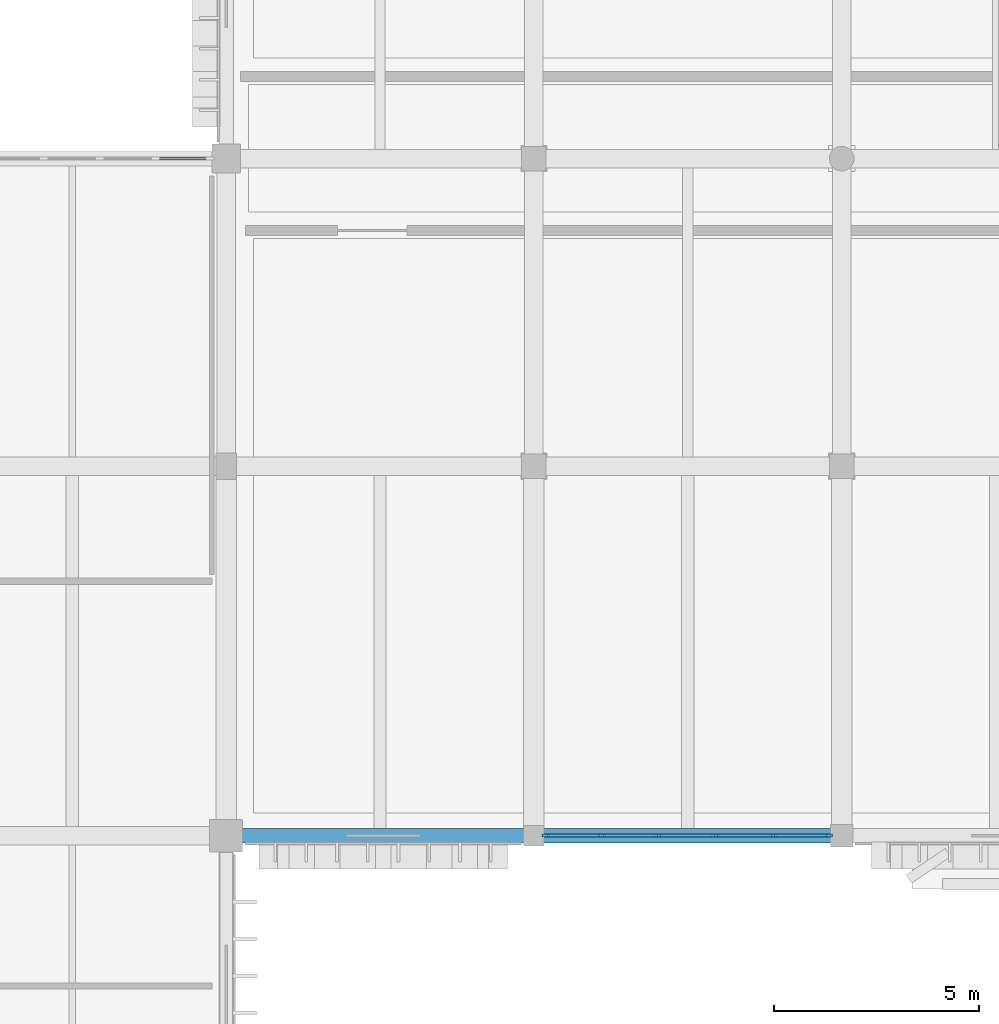
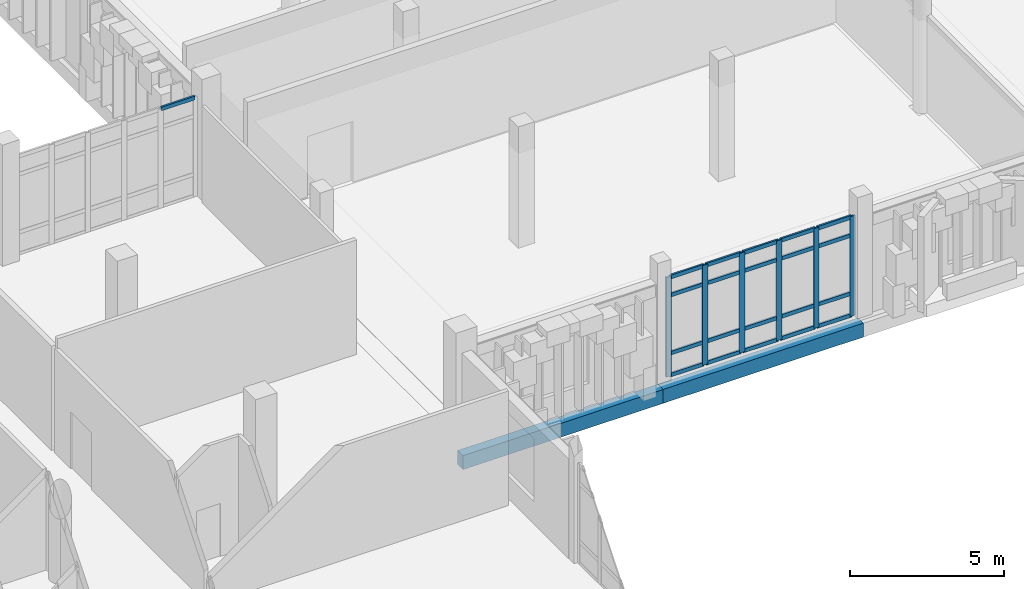
# One storey, part 53 of 131: 27 members, 2 beams, 2 elements without a shape of their own.
"""IFC4 building model written with IfcOpenShell, lengths in metres."""

import ifcopenshell
import ifcopenshell.guid

model = None  # the IFC model being written
_history = None  # IfcOwnerHistory: only IFC2X3 demands one
_inside = {}  # id of a spatial element -> (the spatial element, [elements in it])
_under = {}  # id of a project, library or spatial element -> (it, [spatial elements below it])
_declared = {}  # id of a project -> (the project, [libraries it declares])
_typed = {}  # id of a type object -> (the type object, [elements of that type])
_made_of = {}  # id of a material, layer set ... -> (it, [elements and type objects made of it])


def new_model(schema):
    """Start an empty IFC model of exactly this schema.

    Asked for "IFC4X3", IfcOpenShell would pick the latest addendum, in which some entities
    have other attributes; the version numbers below select the first issue.
    IFC2X3 requires an IfcOwnerHistory on every rooted entity: one is made here for all.
    """
    global model, _history
    if schema == "IFC4X3":
        model = ifcopenshell.file(schema_version=(4, 3, 0, 0))
    else:
        model = ifcopenshell.file(schema=schema)
    _inside.clear()
    _under.clear()
    _declared.clear()
    _typed.clear()
    _made_of.clear()
    _history = None
    if model.schema == "IFC2X3":
        org = make("IfcOrganization", Name="unknown")
        user = make(
            "IfcPersonAndOrganization",
            ThePerson=make("IfcPerson", FamilyName="unknown"),
            TheOrganization=org,
        )
        app = make(
            "IfcApplication",
            ApplicationDeveloper=org,
            Version="unknown",
            ApplicationFullName="unknown",
            ApplicationIdentifier="unknown",
        )
        _history = make(
            "IfcOwnerHistory",
            OwningUser=user,
            OwningApplication=app,
            ChangeAction="ADDED",
            CreationDate=0,
        )
    return model


def make(cls, **values):
    """One entity of the class cls with the attributes given. An attribute that is None is left unset."""
    return model.create_entity(
        cls, **{name: value for name, value in values.items() if value is not None}
    )


def rooted(cls, **values):
    """An entity with a GlobalId (a new one), such as an element, a storey or a relation."""
    return make(cls, GlobalId=ifcopenshell.guid.new(), OwnerHistory=_history, **values)


def si_unit(unit_type, name, prefix=None):
    """IfcSIUnit, for example si_unit("LENGTHUNIT", "METRE", prefix="MILLI")."""
    return make("IfcSIUnit", UnitType=unit_type, Prefix=prefix, Name=name)


def assignment(units):
    """IfcUnitAssignment: the units of a project."""
    return None if units is None else make("IfcUnitAssignment", Units=units)


def point(xyz):
    """IfcCartesianPoint."""
    return None if xyz is None else make("IfcCartesianPoint", Coordinates=xyz)


def direction(xyz):
    """IfcDirection."""
    return None if xyz is None else make("IfcDirection", DirectionRatios=xyz)


def frame(location, z_axis=None, x_axis=None):
    """IfcAxis2Placement3D, a coordinate frame: its origin and axes. An axis left out is left unset."""
    return make(
        "IfcAxis2Placement3D",
        Location=point(location),
        Axis=direction(z_axis),
        RefDirection=direction(x_axis),
    )


def frame_2d(location, x_axis=None):
    """IfcAxis2Placement2D, a coordinate frame in the plane: its origin and x axis."""
    return make(
        "IfcAxis2Placement2D", Location=point(location), RefDirection=direction(x_axis)
    )


def origin():
    """The frame at (0, 0, 0) with its axes left unset."""
    return frame((0.0, 0.0, 0.0))


def origin_2d():
    """The frame at (0, 0) in the plane with its x axis left unset."""
    return frame_2d((0.0, 0.0))


def place(relative_to, where):
    """IfcLocalPlacement: puts the frame where relative to a parent placement (None: the world)."""
    return make(
        "IfcLocalPlacement", PlacementRelTo=relative_to, RelativePlacement=where
    )


def context(
    kind, dimensions, precision=None, world=None, true_north=None, identifier=None
):
    """IfcGeometricRepresentationContext, for example the 3D "Model" context."""
    return make(
        "IfcGeometricRepresentationContext",
        ContextIdentifier=identifier,
        ContextType=kind,
        CoordinateSpaceDimension=dimensions,
        Precision=precision,
        WorldCoordinateSystem=world,
        TrueNorth=true_north,
    )


def subcontext(parent, identifier, kind, view, scale=None):
    """IfcGeometricRepresentationSubContext, for example "Body" below "Model"."""
    return make(
        "IfcGeometricRepresentationSubContext",
        ContextIdentifier=identifier,
        ContextType=kind,
        ParentContext=parent,
        TargetScale=scale,
        TargetView=view,
    )


def project(units=None, contexts=None):
    """IfcProject with its units and contexts."""
    return rooted(
        "IfcProject",
        Name="project",
        RepresentationContexts=contexts,
        UnitsInContext=assignment(units),
    )


def spatial(cls, under=None, at=None, **own):
    """A site, building, storey or space (cls), placed at a placement, below another one or the project."""
    s = rooted(cls, ObjectPlacement=at, **own)
    if under is not None:
        _under.setdefault(under.id(), (under, []))[1].append(s)
    return s


def profile(cls, at=None, kind="AREA", **sizes):
    """A parametric profile (cls). Its sizes go by their IFC names, for example OverallWidth=200.0."""
    return make(cls, ProfileType=kind, Position=at, **sizes)


def rectangle(**sizes):
    """IfcRectangleProfileDef."""
    return profile("IfcRectangleProfileDef", **sizes)


def extrude(swept, where, along, depth):
    """IfcExtrudedAreaSolid: the profile swept, set in the frame where, extruded along a direction by depth."""
    return make(
        "IfcExtrudedAreaSolid",
        SweptArea=swept,
        Position=where,
        ExtrudedDirection=direction(along),
        Depth=depth,
    )


def shape(context_of_items, identifier, shape_type, items):
    """IfcShapeRepresentation: the items that make up one representation, for example the "Body"."""
    return make(
        "IfcShapeRepresentation",
        ContextOfItems=context_of_items,
        RepresentationIdentifier=identifier,
        RepresentationType=shape_type,
        Items=items,
    )


def material(Name=None, Category=None):
    """IfcMaterial."""
    return make("IfcMaterial", Name=Name, Category=Category)


def layer(
    of_material, thickness, ventilated=None, Name=None, Category=None, Priority=None
):
    """IfcMaterialLayer: one layer of a wall or slab, of a material (None: an air gap)."""
    return make(
        "IfcMaterialLayer",
        Material=of_material,
        LayerThickness=thickness,
        IsVentilated=ventilated,
        Name=Name,
        Category=Category,
        Priority=Priority,
    )


def layer_set(layers, Name=None):
    """IfcMaterialLayerSet."""
    return make("IfcMaterialLayerSet", MaterialLayers=layers, LayerSetName=Name)


def material_profile(
    of_material, cross_section, Name=None, Category=None, Priority=None
):
    """IfcMaterialProfile: a cross section and its material."""
    return make(
        "IfcMaterialProfile",
        Name=Name,
        Material=of_material,
        Profile=cross_section,
        Priority=Priority,
        Category=Category,
    )


def profile_set(profiles, Name=None, composite=None):
    """IfcMaterialProfileSet."""
    return make(
        "IfcMaterialProfileSet",
        Name=Name,
        MaterialProfiles=profiles,
        CompositeProfile=composite,
    )


def made_of(thing, what):
    """Note that an element or type object is made of a material, layer set ...; save() writes the relation."""
    if what is not None:
        _made_of.setdefault(what.id(), (what, []))[1].append(thing)
    return thing


def type_object(cls, material=None, **own):
    """A type object (cls), such as IfcWallType, which elements share."""
    return made_of(rooted(cls, **own), material)


def element(
    cls,
    number,
    at=None,
    inside=None,
    cuts=None,
    type_object=None,
    material=None,
    context=None,
    identifier="Body",
    shape_type=None,
    held_by="IfcProductDefinitionShape",
    body=None,
    shapes=None,
    **own,
):
    """One element of the class cls, such as IfcWall. Its Tag is "e" and its number.

    at: its placement. inside: the storey or other place that contains it. cuts: it is an
    opening in that element (IfcRelVoidsElement). A single representation is given by context,
    identifier, shape_type and body (its items); several are given by shapes. held_by: the class
    of the entity that holds the representations. save() writes the other relations.
    """
    e = rooted(cls, Tag="e%d" % number, ObjectPlacement=at, **own)
    if body is not None:
        shapes = [shape(context, identifier, shape_type, body)]
    if shapes is not None:
        e.Representation = make(held_by, Representations=shapes)
    if inside is not None:
        _inside.setdefault(inside.id(), (inside, []))[1].append(e)
    if cuts is not None:
        rooted(
            "IfcRelVoidsElement", RelatingBuildingElement=cuts, RelatedOpeningElement=e
        )
    if type_object is not None:
        _typed.setdefault(type_object.id(), (type_object, []))[1].append(e)
    return made_of(e, material)


def aggregate(whole, parts):
    """IfcRelAggregates: a whole, such as a stair, and the parts it consists of."""
    return rooted("IfcRelAggregates", RelatingObject=whole, RelatedObjects=parts)


def save(model, path):
    """Write the relations noted so far, then the file.

    IfcRelAggregates (storeys below a building ...), IfcRelContainedInSpatialStructure (elements
    in a storey), IfcRelDefinesByType, IfcRelAssociatesMaterial and IfcRelDeclares: one each for
    every whole, place, type object, material and project.
    """
    for whole, parts in _under.values():
        aggregate(whole, parts)
    for where, things in _inside.values():
        rooted(
            "IfcRelContainedInSpatialStructure",
            RelatedElements=things,
            RelatingStructure=where,
        )
    for kind, things in _typed.values():
        rooted("IfcRelDefinesByType", RelatedObjects=things, RelatingType=kind)
    for what, things in _made_of.values():
        rooted("IfcRelAssociatesMaterial", RelatedObjects=things, RelatingMaterial=what)
    for by, libraries in _declared.values():
        rooted("IfcRelDeclares", RelatingContext=by, RelatedDefinitions=libraries)
    model.write(path)


model = new_model("IFC4")

# Units and contexts
model_context = context("Model", 3, precision=1e-05, world=origin(), true_north=direction((0.0, 1.0)))
body_context = subcontext(model_context, "Body", "Model", "MODEL_VIEW")
ifc_project = project(units=[si_unit("LENGTHUNIT", "METRE"), si_unit("AREAUNIT", "SQUARE_METRE"), si_unit("VOLUMEUNIT", "CUBIC_METRE"), si_unit("PLANEANGLEUNIT", "RADIAN"), si_unit("MASSUNIT", "GRAM", prefix="KILO")], contexts=[model_context])

# Site, building, storey
site_placement = place(None, origin())
site = spatial("IfcSite", under=ifc_project, at=site_placement, CompositionType="ELEMENT")
building_placement = place(site_placement, origin())
building = spatial("IfcBuilding", under=site, at=building_placement, Name="Dalvernix Boulevard General Hospital", CompositionType="ELEMENT")
storey_placement = place(building_placement, frame((0.0, 0.0, 9.300048828125)))
storey = spatial("IfcBuildingStorey", under=building, at=storey_placement, Name="L02", CompositionType="ELEMENT", Elevation=9.300048828125)

# Beams
ifc_material_1 = material(Name="Concrete C35/45", Category="concrete")
ifc_material_profile_1 = material_profile(ifc_material_1, rectangle(XDim=0.35009765625, YDim=0.550048828125, at=origin_2d()), Name="RCB 350x550")
ifc_profile_set_1 = profile_set([ifc_material_profile_1], Name="Concrete C35/45")
beam_type = type_object("IfcBeamType", Name="BM-SB-01-E", PredefinedType="SPANDREL", material=ifc_profile_set_1)
for number, where, z_axis, x_axis, name in (
    (1, (30.0, 76.5, -0.594970703125), (1.0, 0.0, 0.0), (0.0, 1.0, 0.0), "L02 E-W girder L:5-6"),
    (2, (37.5, 76.5, -0.594970703125), (1.0, 0.0, 0.0), (0.0, 1.0, 0.0), "L02 E-W girder L:6-7"),
):
    element("IfcBeam", number, at=place(storey_placement, frame(where, z_axis=z_axis, x_axis=x_axis)), inside=storey, type_object=beam_type, Name=name, PredefinedType="SPANDREL", context=body_context, shape_type="SweptSolid", body=[
        extrude(rectangle(XDim=0.35009765625, YDim=0.550048828125, at=origin_2d()), origin(), (0.0, 0.0, 1.0), 7.5),
    ])

# Curtain wall, members
ifc_material_2 = material(Name="Thermally broken aluminium and solar-control glass curtain wall", Category="aluminium")
ifc_layer_1 = layer(ifc_material_2, 0.199951171875)
ifc_layer_set_1 = layer_set([ifc_layer_1], Name="Thermally broken aluminium and solar-control glass curtain wall (CW-CW-C-70x40)")
curtain_wall_type_1 = type_object("IfcCurtainWallType", Name="CW-CW-C-70x40", PredefinedType="USERDEFINED", material=ifc_layer_set_1)
curtain_wall_1_placement = place(storey_placement, origin())
curtain_wall_1 = element("IfcCurtainWall", 3, at=curtain_wall_1_placement, inside=storey, type_object=curtain_wall_type_1, Name="L02 curtain wall CW-C-70x40 5-10", ObjectType="GLAZED FACADE", PredefinedType="USERDEFINED")
ifc_material_3 = material(Name="Aluminium EN AW-6060", Category="aluminium")
ifc_material_profile_2 = material_profile(ifc_material_3, rectangle(XDim=0.070068359375, YDim=0.199951171875, at=origin_2d()), Name="ALU MULL 70x200")
ifc_profile_set_2 = profile_set([ifc_material_profile_2], Name="Aluminium EN AW-6060")
member_type_1 = type_object("IfcMemberType", Name="MEM-CW-M3", PredefinedType="MULLION", material=ifc_profile_set_2)
member_1_placement = place(storey_placement, frame((44.679931640625, 76.5, 0.0), z_axis=(0.0, 0.0, 1.0), x_axis=(0.0, -1.0, 0.0)))
member_1 = element("IfcMember", 4, at=member_1_placement, type_object=member_type_1, Name="CW-C-70x40 mullion 1", PredefinedType="MULLION", context=body_context, shape_type="SweptSolid", body=[
    extrude(rectangle(XDim=0.070068359375, YDim=0.199951171875, at=origin_2d()), origin(), (0.0, 0.0, 1.0), 3.949951171875),
])
member_2_placement = place(storey_placement, frame((43.323974609375, 76.5, 0.0), z_axis=(0.0, 0.0, 1.0), x_axis=(0.0, -1.0, 0.0)))
member_2 = element("IfcMember", 5, at=member_2_placement, type_object=member_type_1, Name="CW-C-70x40 mullion 2", PredefinedType="MULLION", context=body_context, shape_type="SweptSolid", body=[
    extrude(rectangle(XDim=0.070068359375, YDim=0.199951171875, at=origin_2d()), origin(), (0.0, 0.0, 1.0), 3.949951171875),
])
member_3_placement = place(storey_placement, frame((41.93310546875, 76.5, 0.0), z_axis=(0.0, 0.0, 1.0), x_axis=(0.0, -1.0, 0.0)))
member_3 = element("IfcMember", 6, at=member_3_placement, type_object=member_type_1, Name="CW-C-70x40 mullion 3", PredefinedType="MULLION", context=body_context, shape_type="SweptSolid", body=[
    extrude(rectangle(XDim=0.070068359375, YDim=0.199951171875, at=origin_2d()), origin(), (0.0, 0.0, 1.0), 3.949951171875),
])
member_4_placement = place(storey_placement, frame((40.5419921875, 76.5, 0.0), z_axis=(0.0, 0.0, 1.0), x_axis=(0.0, -1.0, 0.0)))
member_4 = element("IfcMember", 7, at=member_4_placement, type_object=member_type_1, Name="CW-C-70x40 mullion 4", PredefinedType="MULLION", context=body_context, shape_type="SweptSolid", body=[
    extrude(rectangle(XDim=0.070068359375, YDim=0.199951171875, at=origin_2d()), origin(), (0.0, 0.0, 1.0), 3.949951171875),
])
member_5_placement = place(storey_placement, frame((39.15087890625, 76.5, 0.0), z_axis=(0.0, 0.0, 1.0), x_axis=(0.0, -1.0, 0.0)))
member_5 = element("IfcMember", 8, at=member_5_placement, type_object=member_type_1, Name="CW-C-70x40 mullion 5", PredefinedType="MULLION", context=body_context, shape_type="SweptSolid", body=[
    extrude(rectangle(XDim=0.070068359375, YDim=0.199951171875, at=origin_2d()), origin(), (0.0, 0.0, 1.0), 3.949951171875),
])
member_6_placement = place(storey_placement, frame((37.794921875, 76.5, 0.0), z_axis=(0.0, 0.0, 1.0), x_axis=(0.0, -1.0, 0.0)))
member_6 = element("IfcMember", 9, at=member_6_placement, type_object=member_type_1, Name="CW-C-70x40 mullion 6", PredefinedType="MULLION", context=body_context, shape_type="SweptSolid", body=[
    extrude(rectangle(XDim=0.070068359375, YDim=0.199951171875, at=origin_2d()), origin(), (0.0, 0.0, 1.0), 3.949951171875),
])

# Curtain wall, member
ifc_layer_2 = layer(ifc_material_2, 0.199951171875)
ifc_layer_set_2 = layer_set([ifc_layer_2], Name="Thermally broken aluminium and solar-control glass curtain wall (CW-CW-C-68x40)")
curtain_wall_type_2 = type_object("IfcCurtainWallType", Name="CW-CW-C-68x40", PredefinedType="USERDEFINED", material=ifc_layer_set_2)
curtain_wall_2_placement = place(storey_placement, origin())
curtain_wall_2 = element("IfcCurtainWall", 10, at=curtain_wall_2_placement, inside=storey, type_object=curtain_wall_type_2, Name="L02 curtain wall CW-C-68x40 3-12", ObjectType="GLAZED FACADE", PredefinedType="USERDEFINED")
ifc_material_profile_3 = material_profile(ifc_material_3, rectangle(XDim=0.070068359375, YDim=0.14990234375, at=origin_2d()), Name="ALU TRAN 70x150")
ifc_profile_set_3 = profile_set([ifc_material_profile_3], Name="Aluminium EN AW-6060")
member_type_2 = type_object("IfcMemberType", Name="MEM-CW-T3", PredefinedType="USERDEFINED", material=ifc_profile_set_3)
member_7_placement = place(storey_placement, frame((28.31396484375, 93.0, 3.9150390625), z_axis=(1.0, 0.0, 0.0), x_axis=(0.0, 1.0, 0.0)))
member_7 = element("IfcMember", 11, at=member_7_placement, type_object=member_type_2, Name="CW-C-68x40 transom 5.4", ObjectType="TRANSOM", PredefinedType="USERDEFINED", context=body_context, shape_type="SweptSolid", body=[
    extrude(rectangle(XDim=0.070068359375, YDim=0.14990234375, at=origin_2d()), origin(), (0.0, 0.0, 1.0), 1.256103515625),
])
aggregate(curtain_wall_2, [member_7])

# Member
member_8_placement = place(storey_placement, frame((44.64501953125, 76.5, 0.034912109375), z_axis=(-1.0, 0.0, 0.0), x_axis=(0.0, -1.0, 0.0)))
member_8 = element("IfcMember", 12, at=member_8_placement, type_object=member_type_2, Name="CW-C-70x40 transom 1.1", ObjectType="TRANSOM", PredefinedType="USERDEFINED", context=body_context, shape_type="SweptSolid", body=[
    extrude(rectangle(XDim=0.070068359375, YDim=0.14990234375, at=origin_2d()), origin(), (0.0, 0.0, 1.0), 1.2861328125),
])

member_9_placement = place(storey_placement, frame((44.64501953125, 76.5, 0.89990234375), z_axis=(-1.0, 0.0, 0.0), x_axis=(0.0, -1.0, 0.0)))
member_9 = element("IfcMember", 13, at=member_9_placement, type_object=member_type_2, Name="CW-C-70x40 transom 1.2", ObjectType="TRANSOM", PredefinedType="USERDEFINED", context=body_context, shape_type="SweptSolid", body=[
    extrude(rectangle(XDim=0.070068359375, YDim=0.14990234375, at=origin_2d()), origin(), (0.0, 0.0, 1.0), 1.2861328125),
])

member_10_placement = place(storey_placement, frame((44.64501953125, 76.5, 3.199951171875), z_axis=(-1.0, 0.0, 0.0), x_axis=(0.0, -1.0, 0.0)))
member_10 = element("IfcMember", 14, at=member_10_placement, type_object=member_type_2, Name="CW-C-70x40 transom 1.3", ObjectType="TRANSOM", PredefinedType="USERDEFINED", context=body_context, shape_type="SweptSolid", body=[
    extrude(rectangle(XDim=0.070068359375, YDim=0.14990234375, at=origin_2d()), origin(), (0.0, 0.0, 1.0), 1.2861328125),
])

member_11_placement = place(storey_placement, frame((44.64501953125, 76.5, 3.9150390625), z_axis=(-1.0, 0.0, 0.0), x_axis=(0.0, -1.0, 0.0)))
member_11 = element("IfcMember", 15, at=member_11_placement, type_object=member_type_2, Name="CW-C-70x40 transom 1.4", ObjectType="TRANSOM", PredefinedType="USERDEFINED", context=body_context, shape_type="SweptSolid", body=[
    extrude(rectangle(XDim=0.070068359375, YDim=0.14990234375, at=origin_2d()), origin(), (0.0, 0.0, 1.0), 1.2861328125),
])

member_12_placement = place(storey_placement, frame((43.2890625, 76.5, 0.034912109375), z_axis=(-1.0, 0.0, 0.0), x_axis=(0.0, -1.0, 0.0)))
member_12 = element("IfcMember", 16, at=member_12_placement, type_object=member_type_2, Name="CW-C-70x40 transom 2.1", ObjectType="TRANSOM", PredefinedType="USERDEFINED", context=body_context, shape_type="SweptSolid", body=[
    extrude(rectangle(XDim=0.070068359375, YDim=0.14990234375, at=origin_2d()), origin(), (0.0, 0.0, 1.0), 1.321044921875),
])

member_13_placement = place(storey_placement, frame((43.2890625, 76.5, 0.89990234375), z_axis=(-1.0, 0.0, 0.0), x_axis=(0.0, -1.0, 0.0)))
member_13 = element("IfcMember", 17, at=member_13_placement, type_object=member_type_2, Name="CW-C-70x40 transom 2.2", ObjectType="TRANSOM", PredefinedType="USERDEFINED", context=body_context, shape_type="SweptSolid", body=[
    extrude(rectangle(XDim=0.070068359375, YDim=0.14990234375, at=origin_2d()), origin(), (0.0, 0.0, 1.0), 1.321044921875),
])

member_14_placement = place(storey_placement, frame((43.2890625, 76.5, 3.199951171875), z_axis=(-1.0, 0.0, 0.0), x_axis=(0.0, -1.0, 0.0)))
member_14 = element("IfcMember", 18, at=member_14_placement, type_object=member_type_2, Name="CW-C-70x40 transom 2.3", ObjectType="TRANSOM", PredefinedType="USERDEFINED", context=body_context, shape_type="SweptSolid", body=[
    extrude(rectangle(XDim=0.070068359375, YDim=0.14990234375, at=origin_2d()), origin(), (0.0, 0.0, 1.0), 1.321044921875),
])

member_15_placement = place(storey_placement, frame((43.2890625, 76.5, 3.9150390625), z_axis=(-1.0, 0.0, 0.0), x_axis=(0.0, -1.0, 0.0)))
member_15 = element("IfcMember", 19, at=member_15_placement, type_object=member_type_2, Name="CW-C-70x40 transom 2.4", ObjectType="TRANSOM", PredefinedType="USERDEFINED", context=body_context, shape_type="SweptSolid", body=[
    extrude(rectangle(XDim=0.070068359375, YDim=0.14990234375, at=origin_2d()), origin(), (0.0, 0.0, 1.0), 1.321044921875),
])

member_16_placement = place(storey_placement, frame((41.89794921875, 76.5, 0.034912109375), z_axis=(-1.0, 0.0, 0.0), x_axis=(0.0, -1.0, 0.0)))
member_16 = element("IfcMember", 20, at=member_16_placement, type_object=member_type_2, Name="CW-C-70x40 transom 3.1", ObjectType="TRANSOM", PredefinedType="USERDEFINED", context=body_context, shape_type="SweptSolid", body=[
    extrude(rectangle(XDim=0.070068359375, YDim=0.14990234375, at=origin_2d()), origin(), (0.0, 0.0, 1.0), 1.321044921875),
])

member_17_placement = place(storey_placement, frame((41.89794921875, 76.5, 0.89990234375), z_axis=(-1.0, 0.0, 0.0), x_axis=(0.0, -1.0, 0.0)))
member_17 = element("IfcMember", 21, at=member_17_placement, type_object=member_type_2, Name="CW-C-70x40 transom 3.2", ObjectType="TRANSOM", PredefinedType="USERDEFINED", context=body_context, shape_type="SweptSolid", body=[
    extrude(rectangle(XDim=0.070068359375, YDim=0.14990234375, at=origin_2d()), origin(), (0.0, 0.0, 1.0), 1.321044921875),
])

member_18_placement = place(storey_placement, frame((41.89794921875, 76.5, 3.199951171875), z_axis=(-1.0, 0.0, 0.0), x_axis=(0.0, -1.0, 0.0)))
member_18 = element("IfcMember", 22, at=member_18_placement, type_object=member_type_2, Name="CW-C-70x40 transom 3.3", ObjectType="TRANSOM", PredefinedType="USERDEFINED", context=body_context, shape_type="SweptSolid", body=[
    extrude(rectangle(XDim=0.070068359375, YDim=0.14990234375, at=origin_2d()), origin(), (0.0, 0.0, 1.0), 1.321044921875),
])

member_19_placement = place(storey_placement, frame((41.89794921875, 76.5, 3.9150390625), z_axis=(-1.0, 0.0, 0.0), x_axis=(0.0, -1.0, 0.0)))
member_19 = element("IfcMember", 23, at=member_19_placement, type_object=member_type_2, Name="CW-C-70x40 transom 3.4", ObjectType="TRANSOM", PredefinedType="USERDEFINED", context=body_context, shape_type="SweptSolid", body=[
    extrude(rectangle(XDim=0.070068359375, YDim=0.14990234375, at=origin_2d()), origin(), (0.0, 0.0, 1.0), 1.321044921875),
])

member_20_placement = place(storey_placement, frame((40.507080078125, 76.5, 0.034912109375), z_axis=(-1.0, 0.0, 0.0), x_axis=(0.0, -1.0, 0.0)))
member_20 = element("IfcMember", 24, at=member_20_placement, type_object=member_type_2, Name="CW-C-70x40 transom 4.1", ObjectType="TRANSOM", PredefinedType="USERDEFINED", context=body_context, shape_type="SweptSolid", body=[
    extrude(rectangle(XDim=0.070068359375, YDim=0.14990234375, at=origin_2d()), origin(), (0.0, 0.0, 1.0), 1.321044921875),
])

member_21_placement = place(storey_placement, frame((40.507080078125, 76.5, 0.89990234375), z_axis=(-1.0, 0.0, 0.0), x_axis=(0.0, -1.0, 0.0)))
member_21 = element("IfcMember", 25, at=member_21_placement, type_object=member_type_2, Name="CW-C-70x40 transom 4.2", ObjectType="TRANSOM", PredefinedType="USERDEFINED", context=body_context, shape_type="SweptSolid", body=[
    extrude(rectangle(XDim=0.070068359375, YDim=0.14990234375, at=origin_2d()), origin(), (0.0, 0.0, 1.0), 1.321044921875),
])

member_22_placement = place(storey_placement, frame((40.507080078125, 76.5, 3.199951171875), z_axis=(-1.0, 0.0, 0.0), x_axis=(0.0, -1.0, 0.0)))
member_22 = element("IfcMember", 26, at=member_22_placement, type_object=member_type_2, Name="CW-C-70x40 transom 4.3", ObjectType="TRANSOM", PredefinedType="USERDEFINED", context=body_context, shape_type="SweptSolid", body=[
    extrude(rectangle(XDim=0.070068359375, YDim=0.14990234375, at=origin_2d()), origin(), (0.0, 0.0, 1.0), 1.321044921875),
])

member_23_placement = place(storey_placement, frame((40.507080078125, 76.5, 3.9150390625), z_axis=(-1.0, 0.0, 0.0), x_axis=(0.0, -1.0, 0.0)))
member_23 = element("IfcMember", 27, at=member_23_placement, type_object=member_type_2, Name="CW-C-70x40 transom 4.4", ObjectType="TRANSOM", PredefinedType="USERDEFINED", context=body_context, shape_type="SweptSolid", body=[
    extrude(rectangle(XDim=0.070068359375, YDim=0.14990234375, at=origin_2d()), origin(), (0.0, 0.0, 1.0), 1.321044921875),
])

member_24_placement = place(storey_placement, frame((39.115966796875, 76.5, 0.034912109375), z_axis=(-1.0, 0.0, 0.0), x_axis=(0.0, -1.0, 0.0)))
member_24 = element("IfcMember", 28, at=member_24_placement, type_object=member_type_2, Name="CW-C-70x40 transom 5.1", ObjectType="TRANSOM", PredefinedType="USERDEFINED", context=body_context, shape_type="SweptSolid", body=[
    extrude(rectangle(XDim=0.070068359375, YDim=0.14990234375, at=origin_2d()), origin(), (0.0, 0.0, 1.0), 1.285888671875),
])

member_25_placement = place(storey_placement, frame((39.115966796875, 76.5, 0.89990234375), z_axis=(-1.0, 0.0, 0.0), x_axis=(0.0, -1.0, 0.0)))
member_25 = element("IfcMember", 29, at=member_25_placement, type_object=member_type_2, Name="CW-C-70x40 transom 5.2", ObjectType="TRANSOM", PredefinedType="USERDEFINED", context=body_context, shape_type="SweptSolid", body=[
    extrude(rectangle(XDim=0.070068359375, YDim=0.14990234375, at=origin_2d()), origin(), (0.0, 0.0, 1.0), 1.285888671875),
])

member_26_placement = place(storey_placement, frame((39.115966796875, 76.5, 3.199951171875), z_axis=(-1.0, 0.0, 0.0), x_axis=(0.0, -1.0, 0.0)))
member_26 = element("IfcMember", 30, at=member_26_placement, type_object=member_type_2, Name="CW-C-70x40 transom 5.3", ObjectType="TRANSOM", PredefinedType="USERDEFINED", context=body_context, shape_type="SweptSolid", body=[
    extrude(rectangle(XDim=0.070068359375, YDim=0.14990234375, at=origin_2d()), origin(), (0.0, 0.0, 1.0), 1.285888671875),
])

member_27_placement = place(storey_placement, frame((39.115966796875, 76.5, 3.9150390625), z_axis=(-1.0, 0.0, 0.0), x_axis=(0.0, -1.0, 0.0)))
member_27 = element("IfcMember", 31, at=member_27_placement, type_object=member_type_2, Name="CW-C-70x40 transom 5.4", ObjectType="TRANSOM", PredefinedType="USERDEFINED", context=body_context, shape_type="SweptSolid", body=[
    extrude(rectangle(XDim=0.070068359375, YDim=0.14990234375, at=origin_2d()), origin(), (0.0, 0.0, 1.0), 1.285888671875),
])

aggregate(curtain_wall_1, [member_1, member_2, member_3, member_4, member_5, member_6, member_8, member_9, member_10, member_11, member_12, member_13, member_14, member_15, member_16, member_17, member_18, member_19, member_20, member_21, member_22, member_23, member_24, member_25, member_26, member_27])

save(model, "model.ifc")
